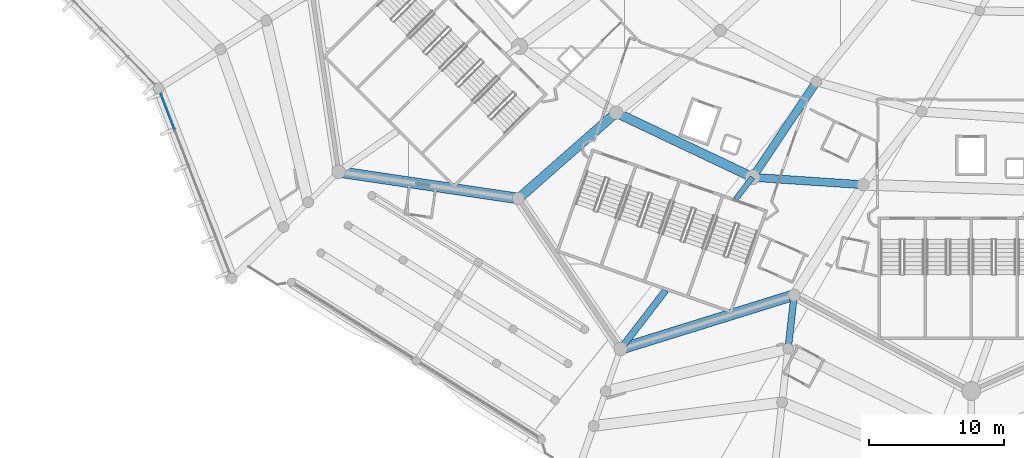
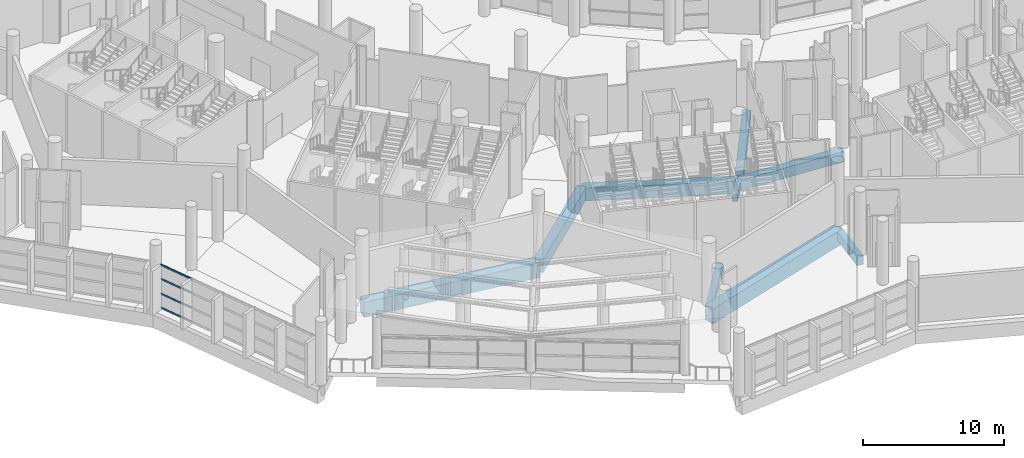
# One storey, part 11 of 271: 9 beams, 4 members, 1 element without a shape of its own.
"""IFC4 building model written with IfcOpenShell, lengths in metres."""

from ifc_helpers import new_model, si_unit, direction, frame, origin, origin_2d, place, context, subcontext, project, spatial, rectangle, extrude, material, layer, layer_set, material_profile, profile_set, type_object, element, aggregate, save


model = new_model("IFC4")

# Units and contexts
model_context = context("Model", 3, precision=1e-05, world=origin(), true_north=direction((0.0, 1.0)))
body_context = subcontext(model_context, "Body", "Model", "MODEL_VIEW")
ifc_project = project(units=[si_unit("LENGTHUNIT", "METRE"), si_unit("AREAUNIT", "SQUARE_METRE"), si_unit("VOLUMEUNIT", "CUBIC_METRE"), si_unit("PLANEANGLEUNIT", "RADIAN"), si_unit("MASSUNIT", "GRAM", prefix="KILO")], contexts=[model_context])

# Site, building, storey
site_placement = place(None, origin())
site = spatial("IfcSite", under=ifc_project, at=site_placement, CompositionType="ELEMENT")
building_placement = place(site_placement, origin())
building = spatial("IfcBuilding", under=site, at=building_placement, Name="Meseta Stadium", CompositionType="ELEMENT")
storey_placement = place(building_placement, frame((0.0, 0.0, 6.5)))
storey = spatial("IfcBuildingStorey", under=building, at=storey_placement, Name="L01", CompositionType="ELEMENT", Elevation=6.5)

# Beams
ifc_material_1 = material(Name="Concrete C40/50", Category="concrete")
ifc_material_profile_1 = material_profile(ifc_material_1, rectangle(XDim=0.39990234375, YDim=0.60009765625, at=origin_2d()), Name="RC 400x600")
ifc_profile_set_1 = profile_set([ifc_material_profile_1], Name="Concrete C40/50")
beam_type_1 = type_object("IfcBeamType", Name="RC beam 400x600", PredefinedType="BEAM", material=ifc_profile_set_1)
beam_1_placement = place(storey_placement, frame((-54.523193359375, -89.579345703125, -0.64990234375), z_axis=(-0.60958282029, -0.792722388486, 0.0), x_axis=(0.792722388486, -0.60958282029, 0.0)))
element("IfcBeam", 1, at=beam_1_placement, inside=storey, type_object=beam_type_1, Name="L01 radial beam frame 42 line P to R", PredefinedType="BEAM", context=body_context, shape_type="SweptSolid", body=[
    extrude(rectangle(XDim=0.39990234375, YDim=0.60009765625, at=origin_2d()), origin(), (0.0, 0.0, 1.0), 2.029052734375),
])
ifc_material_2 = material(Name="Concrete C40/50", Category="concrete")
ifc_material_profile_2 = material_profile(ifc_material_2, rectangle(XDim=0.5, YDim=0.75, at=origin_2d()), Name="RC 500x750")
ifc_profile_set_2 = profile_set([ifc_material_profile_2], Name="Concrete C40/50")
beam_type_2 = type_object("IfcBeamType", Name="RC beam 500x750", PredefinedType="BEAM", material=ifc_profile_set_2)
beam_2_placement = place(storey_placement, frame((-60.95947265625, -97.949951171875, -0.72509765625), z_axis=(-0.609579324643, -0.792725076536, 0.0), x_axis=(0.792725076536, -0.609579324643, 0.0)))
element("IfcBeam", 2, at=beam_2_placement, inside=storey, type_object=beam_type_2, Name="L01 radial beam frame 42 line P to R", PredefinedType="BEAM", context=body_context, shape_type="SweptSolid", body=[
    extrude(rectangle(XDim=0.5, YDim=0.75, at=origin_2d()), origin(), (0.0, 0.0, 1.0), 5.47607421875),
])
beam_3_placement = place(storey_placement, frame((-51.44140625, -98.29443359375, -0.72509765625), z_axis=(-0.111998942203, -0.993708325891, 0.0), x_axis=(0.993708325891, -0.111998942203, 0.0)))
element("IfcBeam", 3, at=beam_3_placement, inside=storey, type_object=beam_type_2, Name="L01 radial beam frame 43 line R to M", PredefinedType="BEAM", context=body_context, shape_type="SweptSolid", body=[
    extrude(rectangle(XDim=0.5, YDim=0.75, at=origin_2d()), origin(), (0.0, 0.0, 1.0), 4.0),
])
ifc_material_3 = material(Name="Concrete C40/50", Category="concrete")
ifc_material_profile_3 = material_profile(ifc_material_3, rectangle(XDim=0.60009765625, YDim=0.89990234375, at=origin_2d()), Name="RC 600x900")
ifc_profile_set_3 = profile_set([ifc_material_profile_3], Name="Concrete C40/50")
beam_type_3 = type_object("IfcBeamType", Name="RC beam 600x900", PredefinedType="BEAM", material=ifc_profile_set_3)
beam_4_placement = place(storey_placement, frame((-54.523193359375, -89.579345703125, -0.800048828125), z_axis=(0.997778045289, -0.066625613231, 0.0), x_axis=(0.066625613231, 0.997778045289, 0.0)))
element("IfcBeam", 4, at=beam_4_placement, inside=storey, type_object=beam_type_3, Name="L01 ring beam frame 42 line P", PredefinedType="BEAM", context=body_context, shape_type="SweptSolid", body=[
    extrude(rectangle(XDim=0.60009765625, YDim=0.89990234375, at=origin_2d()), origin(), (0.0, 0.0, 1.0), 8.208251953125),
])
beam_5_placement = place(storey_placement, frame((-49.791015625, -82.498779296875, -0.800048828125), z_axis=(-0.555659080942, -0.831410239152, 0.0), x_axis=(0.831410239152, -0.555659080942, 0.0)))
element("IfcBeam", 5, at=beam_5_placement, inside=storey, type_object=beam_type_3, Name="L01 radial beam frame 42 line E to P", PredefinedType="BEAM", context=body_context, shape_type="SweptSolid", body=[
    extrude(rectangle(XDim=0.60009765625, YDim=0.89990234375, at=origin_2d()), origin(), (0.0, 0.0, 1.0), 8.516357421875),
])
ifc_material_4 = material(Name="Concrete C40/50", Category="concrete")
ifc_material_profile_4 = material_profile(ifc_material_4, rectangle(XDim=0.699951171875, YDim=1.10009765625, at=origin_2d()), Name="RC 700x1100")
ifc_profile_set_4 = profile_set([ifc_material_profile_4], Name="Concrete C40/50")
beam_type_4 = type_object("IfcBeamType", Name="RC beam 700x1100", PredefinedType="BEAM", material=ifc_profile_set_4)
beam_6_placement = place(storey_placement, frame((-64.6220703125, -84.79248046875, -0.89990234375), z_axis=(0.903627495473, -0.428319214402, 0.0), x_axis=(0.428319214402, 0.903627495473, 0.0)))
element("IfcBeam", 6, at=beam_6_placement, inside=storey, type_object=beam_type_4, Name="L01 ring beam frame 41 line P", PredefinedType="BEAM", context=body_context, shape_type="SweptSolid", body=[
    extrude(rectangle(XDim=0.699951171875, YDim=1.10009765625, at=origin_2d()), origin(), (0.0, 0.0, 1.0), 11.176025390625),
])
beam_7_placement = place(storey_placement, frame((-64.6220703125, -84.79248046875, -0.89990234375), z_axis=(-0.751128714449, -0.66015578035, 0.0), x_axis=(0.66015578035, -0.751128714449, 0.0)))
element("IfcBeam", 7, at=beam_7_placement, inside=storey, type_object=beam_type_4, Name="L01 radial beam frame 41 line P to R", PredefinedType="BEAM", context=body_context, shape_type="SweptSolid", body=[
    extrude(rectangle(XDim=0.699951171875, YDim=1.10009765625, at=origin_2d()), origin(), (0.0, 0.0, 1.0), 9.631591796875),
])
ifc_material_5 = material(Name="Concrete C40/50", Category="concrete")
ifc_material_profile_5 = material_profile(ifc_material_5, rectangle(XDim=0.800048828125, YDim=1.300048828125, at=origin_2d()), Name="RC 800x1300")
ifc_profile_set_5 = profile_set([ifc_material_profile_5], Name="Concrete C40/50")
beam_type_5 = type_object("IfcBeamType", Name="RC beam 800x1300", PredefinedType="BEAM", material=ifc_profile_set_5)
beam_8_placement = place(storey_placement, frame((-85.173583984375, -89.173583984375, -1.0), z_axis=(0.989155798373, -0.146870032835, 0.0), x_axis=(0.146870032835, 0.989155798373, 0.0)))
element("IfcBeam", 8, at=beam_8_placement, inside=storey, type_object=beam_type_5, Name="L01 ring beam frame 40 line R", PredefinedType="BEAM", context=body_context, shape_type="SweptSolid", body=[
    extrude(rectangle(XDim=0.800048828125, YDim=1.300048828125, at=origin_2d()), origin(), (0.0, 0.0, 1.0), 13.462890625),
])
beam_9_placement = place(storey_placement, frame((-64.297607421875, -102.291015625, -1.0), z_axis=(0.954922594045, 0.296854913016, 0.0), x_axis=(-0.296854913016, 0.954922594045, 0.0)))
element("IfcBeam", 9, at=beam_9_placement, inside=storey, type_object=beam_type_5, Name="L01 ring beam frame 42 line R", PredefinedType="BEAM", context=body_context, shape_type="SweptSolid", body=[
    extrude(rectangle(XDim=0.800048828125, YDim=1.300048828125, at=origin_2d()), origin(), (0.0, 0.0, 1.0), 13.463134765625),
])

# Curtain wall, members
ifc_material_6 = material(Name="Aluminium", Category="aluminium")
ifc_layer = layer(ifc_material_6, 0.199951171875)
ifc_layer_set = layer_set([ifc_layer], Name="Ring shopfront curtain wall")
curtain_wall_type = type_object("IfcCurtainWallType", Name="Ring shopfront curtain wall", PredefinedType="NOTDEFINED", material=ifc_layer_set)
curtain_wall_placement = place(storey_placement, origin())
curtain_wall = element("IfcCurtainWall", 10, at=curtain_wall_placement, inside=storey, type_object=curtain_wall_type, Name="Ring glazing L01 F39", PredefinedType="NOTDEFINED")
ifc_material_7 = material(Name="Aluminium", Category="aluminium")
ifc_material_profile_6 = material_profile(ifc_material_7, rectangle(XDim=0.06005859375, YDim=0.14990234375, at=origin_2d()), Name="CW 60x150")
ifc_profile_set_6 = profile_set([ifc_material_profile_6], Name="Aluminium")
member_type = type_object("IfcMemberType", Name="Ring CW transom 60x150", PredefinedType="USERDEFINED", material=ifc_profile_set_6)
member_1_placement = place(storey_placement, frame((-98.33154296875, -83.415283203125, 0.074951171875), z_axis=(0.359274461241, -0.933231944106, 0.0), x_axis=(0.933231944106, 0.359274461241, 0.0)))
member_1 = element("IfcMember", 11, at=member_1_placement, type_object=member_type, Name="CWR1 transom 1.1", ObjectType="TRANSOM", PredefinedType="USERDEFINED", context=body_context, shape_type="SweptSolid", body=[
    extrude(rectangle(XDim=0.06005859375, YDim=0.14990234375, at=origin_2d()), origin(), (0.0, 0.0, 1.0), 2.76904296875),
])
member_2_placement = place(storey_placement, frame((-98.33154296875, -83.415283203125, 1.283447265625), z_axis=(0.359274461241, -0.933231944106, 0.0), x_axis=(0.933231944106, 0.359274461241, 0.0)))
member_2 = element("IfcMember", 12, at=member_2_placement, type_object=member_type, Name="CWR1 transom 1.2", ObjectType="TRANSOM", PredefinedType="USERDEFINED", context=body_context, shape_type="SweptSolid", body=[
    extrude(rectangle(XDim=0.06005859375, YDim=0.14990234375, at=origin_2d()), origin(), (0.0, 0.0, 1.0), 2.76904296875),
])
member_3_placement = place(storey_placement, frame((-98.33154296875, -83.415283203125, 2.566650390625), z_axis=(0.359274461241, -0.933231944106, 0.0), x_axis=(0.933231944106, 0.359274461241, 0.0)))
member_3 = element("IfcMember", 13, at=member_3_placement, type_object=member_type, Name="CWR1 transom 1.3", ObjectType="TRANSOM", PredefinedType="USERDEFINED", context=body_context, shape_type="SweptSolid", body=[
    extrude(rectangle(XDim=0.06005859375, YDim=0.14990234375, at=origin_2d()), origin(), (0.0, 0.0, 1.0), 2.76904296875),
])
member_4_placement = place(storey_placement, frame((-98.33154296875, -83.415283203125, 3.77490234375), z_axis=(0.359274461241, -0.933231944106, 0.0), x_axis=(0.933231944106, 0.359274461241, 0.0)))
member_4 = element("IfcMember", 14, at=member_4_placement, type_object=member_type, Name="CWR1 transom 1.4", ObjectType="TRANSOM", PredefinedType="USERDEFINED", context=body_context, shape_type="SweptSolid", body=[
    extrude(rectangle(XDim=0.06005859375, YDim=0.14990234375, at=origin_2d()), origin(), (0.0, 0.0, 1.0), 2.76904296875),
])
aggregate(curtain_wall, [member_1, member_2, member_3, member_4])

save(model, "model.ifc")
